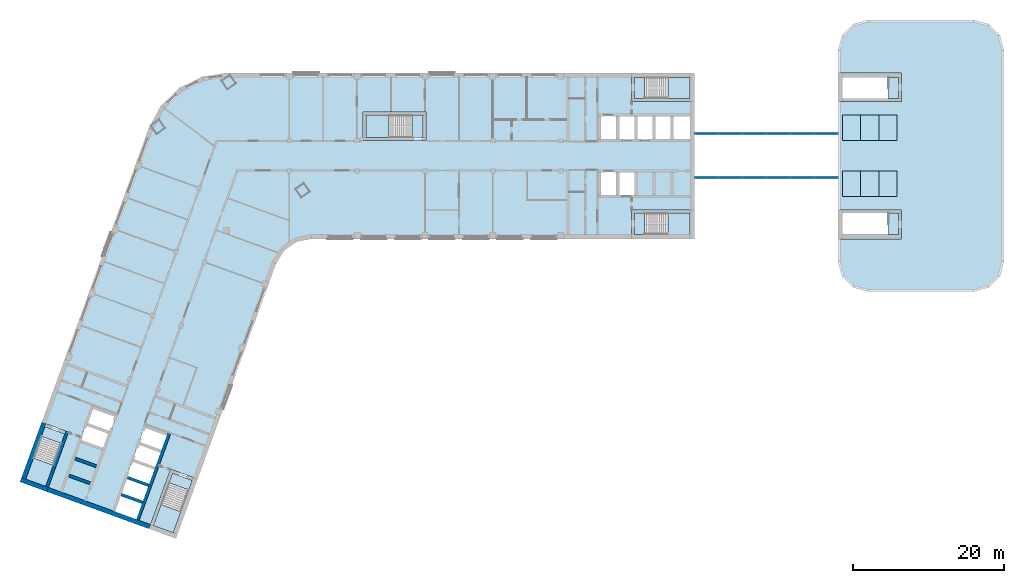
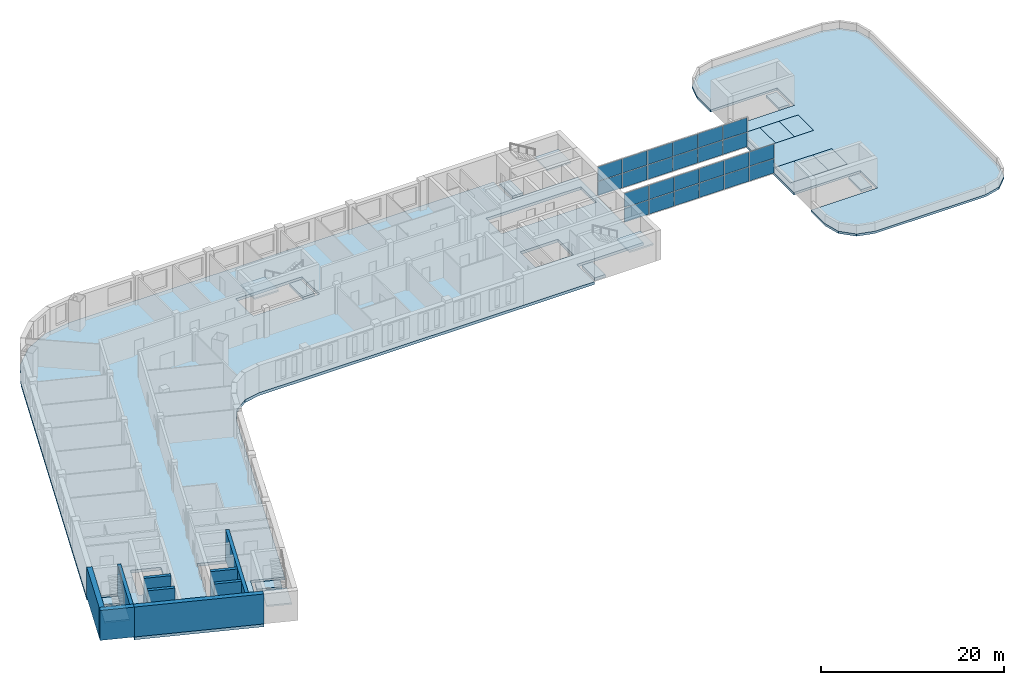
# One storey, part 3 of 11: 24 plates, 20 slabs, 9 walls, 7 elements without a shape of their own.
"""IFC4 building model written with IfcOpenShell, lengths in metres."""

import ifcopenshell
import ifcopenshell.guid

model = None  # the IFC model being written
_history = None  # IfcOwnerHistory: only IFC2X3 demands one
_inside = {}  # id of a spatial element -> (the spatial element, [elements in it])
_under = {}  # id of a project, library or spatial element -> (it, [spatial elements below it])
_declared = {}  # id of a project -> (the project, [libraries it declares])
_typed = {}  # id of a type object -> (the type object, [elements of that type])
_made_of = {}  # id of a material, layer set ... -> (it, [elements and type objects made of it])


def new_model(schema):
    """Start an empty IFC model of exactly this schema.

    Asked for "IFC4X3", IfcOpenShell would pick the latest addendum, in which some entities
    have other attributes; the version numbers below select the first issue.
    IFC2X3 requires an IfcOwnerHistory on every rooted entity: one is made here for all.
    """
    global model, _history
    if schema == "IFC4X3":
        model = ifcopenshell.file(schema_version=(4, 3, 0, 0))
    else:
        model = ifcopenshell.file(schema=schema)
    _inside.clear()
    _under.clear()
    _declared.clear()
    _typed.clear()
    _made_of.clear()
    _history = None
    if model.schema == "IFC2X3":
        org = make("IfcOrganization", Name="unknown")
        user = make(
            "IfcPersonAndOrganization",
            ThePerson=make("IfcPerson", FamilyName="unknown"),
            TheOrganization=org,
        )
        app = make(
            "IfcApplication",
            ApplicationDeveloper=org,
            Version="unknown",
            ApplicationFullName="unknown",
            ApplicationIdentifier="unknown",
        )
        _history = make(
            "IfcOwnerHistory",
            OwningUser=user,
            OwningApplication=app,
            ChangeAction="ADDED",
            CreationDate=0,
        )
    return model


def make(cls, **values):
    """One entity of the class cls with the attributes given. An attribute that is None is left unset."""
    return model.create_entity(
        cls, **{name: value for name, value in values.items() if value is not None}
    )


def rooted(cls, **values):
    """An entity with a GlobalId (a new one), such as an element, a storey or a relation."""
    return make(cls, GlobalId=ifcopenshell.guid.new(), OwnerHistory=_history, **values)


def si_unit(unit_type, name, prefix=None):
    """IfcSIUnit, for example si_unit("LENGTHUNIT", "METRE", prefix="MILLI")."""
    return make("IfcSIUnit", UnitType=unit_type, Prefix=prefix, Name=name)


def assignment(units):
    """IfcUnitAssignment: the units of a project."""
    return None if units is None else make("IfcUnitAssignment", Units=units)


def point(xyz):
    """IfcCartesianPoint."""
    return None if xyz is None else make("IfcCartesianPoint", Coordinates=xyz)


def direction(xyz):
    """IfcDirection."""
    return None if xyz is None else make("IfcDirection", DirectionRatios=xyz)


def frame(location, z_axis=None, x_axis=None):
    """IfcAxis2Placement3D, a coordinate frame: its origin and axes. An axis left out is left unset."""
    return make(
        "IfcAxis2Placement3D",
        Location=point(location),
        Axis=direction(z_axis),
        RefDirection=direction(x_axis),
    )


def frame_2d(location, x_axis=None):
    """IfcAxis2Placement2D, a coordinate frame in the plane: its origin and x axis."""
    return make(
        "IfcAxis2Placement2D", Location=point(location), RefDirection=direction(x_axis)
    )


def origin():
    """The frame at (0, 0, 0) with its axes left unset."""
    return frame((0.0, 0.0, 0.0))


def origin_2d():
    """The frame at (0, 0) in the plane with its x axis left unset."""
    return frame_2d((0.0, 0.0))


def place(relative_to, where):
    """IfcLocalPlacement: puts the frame where relative to a parent placement (None: the world)."""
    return make(
        "IfcLocalPlacement", PlacementRelTo=relative_to, RelativePlacement=where
    )


def context(
    kind, dimensions, precision=None, world=None, true_north=None, identifier=None
):
    """IfcGeometricRepresentationContext, for example the 3D "Model" context."""
    return make(
        "IfcGeometricRepresentationContext",
        ContextIdentifier=identifier,
        ContextType=kind,
        CoordinateSpaceDimension=dimensions,
        Precision=precision,
        WorldCoordinateSystem=world,
        TrueNorth=true_north,
    )


def subcontext(parent, identifier, kind, view, scale=None):
    """IfcGeometricRepresentationSubContext, for example "Body" below "Model"."""
    return make(
        "IfcGeometricRepresentationSubContext",
        ContextIdentifier=identifier,
        ContextType=kind,
        ParentContext=parent,
        TargetScale=scale,
        TargetView=view,
    )


def project(units=None, contexts=None):
    """IfcProject with its units and contexts."""
    return rooted(
        "IfcProject",
        Name="project",
        RepresentationContexts=contexts,
        UnitsInContext=assignment(units),
    )


def spatial(cls, under=None, at=None, **own):
    """A site, building, storey or space (cls), placed at a placement, below another one or the project."""
    s = rooted(cls, ObjectPlacement=at, **own)
    if under is not None:
        _under.setdefault(under.id(), (under, []))[1].append(s)
    return s


def polyline(points):
    """IfcPolyline through the points."""
    return make("IfcPolyline", Points=[point(p) for p in points])


def profile(cls, at=None, kind="AREA", **sizes):
    """A parametric profile (cls). Its sizes go by their IFC names, for example OverallWidth=200.0."""
    return make(cls, ProfileType=kind, Position=at, **sizes)


def rectangle(**sizes):
    """IfcRectangleProfileDef."""
    return profile("IfcRectangleProfileDef", **sizes)


def outline(outer, holes=None, kind="AREA"):
    """IfcArbitraryClosedProfileDef: a profile drawn as a closed curve; with holes, ...WithVoids."""
    if holes is None:
        return make("IfcArbitraryClosedProfileDef", ProfileType=kind, OuterCurve=outer)
    return make(
        "IfcArbitraryProfileDefWithVoids",
        ProfileType=kind,
        OuterCurve=outer,
        InnerCurves=holes,
    )


def extrude(swept, where, along, depth):
    """IfcExtrudedAreaSolid: the profile swept, set in the frame where, extruded along a direction by depth."""
    return make(
        "IfcExtrudedAreaSolid",
        SweptArea=swept,
        Position=where,
        ExtrudedDirection=direction(along),
        Depth=depth,
    )


def shape(context_of_items, identifier, shape_type, items):
    """IfcShapeRepresentation: the items that make up one representation, for example the "Body"."""
    return make(
        "IfcShapeRepresentation",
        ContextOfItems=context_of_items,
        RepresentationIdentifier=identifier,
        RepresentationType=shape_type,
        Items=items,
    )


def material(Name=None, Category=None):
    """IfcMaterial."""
    return make("IfcMaterial", Name=Name, Category=Category)


def layer(
    of_material, thickness, ventilated=None, Name=None, Category=None, Priority=None
):
    """IfcMaterialLayer: one layer of a wall or slab, of a material (None: an air gap)."""
    return make(
        "IfcMaterialLayer",
        Material=of_material,
        LayerThickness=thickness,
        IsVentilated=ventilated,
        Name=Name,
        Category=Category,
        Priority=Priority,
    )


def layer_set(layers, Name=None):
    """IfcMaterialLayerSet."""
    return make("IfcMaterialLayerSet", MaterialLayers=layers, LayerSetName=Name)


def made_of(thing, what):
    """Note that an element or type object is made of a material, layer set ...; save() writes the relation."""
    if what is not None:
        _made_of.setdefault(what.id(), (what, []))[1].append(thing)
    return thing


def type_object(cls, material=None, **own):
    """A type object (cls), such as IfcWallType, which elements share."""
    return made_of(rooted(cls, **own), material)


def element(
    cls,
    number,
    at=None,
    inside=None,
    cuts=None,
    type_object=None,
    material=None,
    context=None,
    identifier="Body",
    shape_type=None,
    held_by="IfcProductDefinitionShape",
    body=None,
    shapes=None,
    **own,
):
    """One element of the class cls, such as IfcWall. Its Tag is "e" and its number.

    at: its placement. inside: the storey or other place that contains it. cuts: it is an
    opening in that element (IfcRelVoidsElement). A single representation is given by context,
    identifier, shape_type and body (its items); several are given by shapes. held_by: the class
    of the entity that holds the representations. save() writes the other relations.
    """
    e = rooted(cls, Tag="e%d" % number, ObjectPlacement=at, **own)
    if body is not None:
        shapes = [shape(context, identifier, shape_type, body)]
    if shapes is not None:
        e.Representation = make(held_by, Representations=shapes)
    if inside is not None:
        _inside.setdefault(inside.id(), (inside, []))[1].append(e)
    if cuts is not None:
        rooted(
            "IfcRelVoidsElement", RelatingBuildingElement=cuts, RelatedOpeningElement=e
        )
    if type_object is not None:
        _typed.setdefault(type_object.id(), (type_object, []))[1].append(e)
    return made_of(e, material)


def aggregate(whole, parts):
    """IfcRelAggregates: a whole, such as a stair, and the parts it consists of."""
    return rooted("IfcRelAggregates", RelatingObject=whole, RelatedObjects=parts)


def save(model, path):
    """Write the relations noted so far, then the file.

    IfcRelAggregates (storeys below a building ...), IfcRelContainedInSpatialStructure (elements
    in a storey), IfcRelDefinesByType, IfcRelAssociatesMaterial and IfcRelDeclares: one each for
    every whole, place, type object, material and project.
    """
    for whole, parts in _under.values():
        aggregate(whole, parts)
    for where, things in _inside.values():
        rooted(
            "IfcRelContainedInSpatialStructure",
            RelatedElements=things,
            RelatingStructure=where,
        )
    for kind, things in _typed.values():
        rooted("IfcRelDefinesByType", RelatedObjects=things, RelatingType=kind)
    for what, things in _made_of.values():
        rooted("IfcRelAssociatesMaterial", RelatedObjects=things, RelatingMaterial=what)
    for by, libraries in _declared.values():
        rooted("IfcRelDeclares", RelatingContext=by, RelatedDefinitions=libraries)
    model.write(path)


model = new_model("IFC4")

# Units and contexts
model_context = context("Model", 3, precision=1e-05, world=origin(), true_north=direction((0.0, 1.0)))
body_context = subcontext(model_context, "Body", "Model", "MODEL_VIEW")
ifc_project = project(units=[si_unit("LENGTHUNIT", "METRE"), si_unit("AREAUNIT", "SQUARE_METRE"), si_unit("VOLUMEUNIT", "CUBIC_METRE"), si_unit("PLANEANGLEUNIT", "RADIAN"), si_unit("MASSUNIT", "GRAM", prefix="KILO")], contexts=[model_context])

# Site, building, storey
site_placement = place(None, origin())
site = spatial("IfcSite", under=ifc_project, at=site_placement, CompositionType="ELEMENT")
building_placement = place(site_placement, origin())
building = spatial("IfcBuilding", under=site, at=building_placement, Name="Skarvind Civic Tower", CompositionType="ELEMENT")
storey_placement = place(building_placement, frame((0.0, 0.0, 113.0)))
storey = spatial("IfcBuildingStorey", under=building, at=storey_placement, Name="L26", CompositionType="ELEMENT", Elevation=113.0)

# Curtain wall, plates
ifc_material_1 = material(Name="Aluminium alloy 6063 and laminated glass", Category="aluminium")
curtain_wall_type = type_object("IfcCurtainWallType", Name="CW4 BRIDGE ENCLOSURE GLAZING", PredefinedType="NOTDEFINED", material=ifc_material_1)
curtain_wall_1_placement = place(storey_placement, origin())
curtain_wall_1 = element("IfcCurtainWall", 1, at=curtain_wall_1_placement, inside=storey, type_object=curtain_wall_type, Name="BRIDGE ENCLOSURE GLAZING", PredefinedType="NOTDEFINED")
ifc_material_2 = material(Name="Laminated low-iron glass", Category="glass")
ifc_layer_1 = layer(ifc_material_2, 0.028076171875)
ifc_layer_set_1 = layer_set([ifc_layer_1], Name="CW4 GLASS PANEL 28")
plate_type = type_object("IfcPlateType", Name="CW4 GLASS PANEL 28", PredefinedType="CURTAIN_PANEL", material=ifc_layer_set_1)
plate_1_placement = place(storey_placement, frame((125.401611328125, 125.090087890625, 0.06005859375), z_axis=(0.0, 0.0, 1.0), x_axis=(-1.0, 0.0, 0.0)))
plate_1 = element("IfcPlate", 2, at=plate_1_placement, type_object=plate_type, Name="CW4 panel 1.1", PredefinedType="CURTAIN_PANEL", context=body_context, shape_type="SweptSolid", body=[
    extrude(rectangle(XDim=3.07666015625, YDim=0.028076171875, at=origin_2d()), origin(), (0.0, 0.0, 1.0), 1.909912109375),
])
plate_2_placement = place(storey_placement, frame((125.401611328125, 125.090087890625, 2.0302734375), z_axis=(0.0, 0.0, 1.0), x_axis=(-1.0, 0.0, 0.0)))
plate_2 = element("IfcPlate", 3, at=plate_2_placement, type_object=plate_type, Name="CW4 panel 1.2", PredefinedType="CURTAIN_PANEL", context=body_context, shape_type="SweptSolid", body=[
    extrude(rectangle(XDim=3.07666015625, YDim=0.028076171875, at=origin_2d()), origin(), (0.0, 0.0, 1.0), 1.909912109375),
])
plate_3_placement = place(storey_placement, frame((122.25, 125.090087890625, 0.06005859375), z_axis=(0.0, 0.0, 1.0), x_axis=(-1.0, 0.0, 0.0)))
plate_3 = element("IfcPlate", 4, at=plate_3_placement, type_object=plate_type, Name="CW4 panel 2.1", PredefinedType="CURTAIN_PANEL", context=body_context, shape_type="SweptSolid", body=[
    extrude(rectangle(XDim=3.106689453125, YDim=0.028076171875, at=origin_2d()), origin(), (0.0, 0.0, 1.0), 1.909912109375),
])
plate_4_placement = place(storey_placement, frame((122.25, 125.090087890625, 2.0302734375), z_axis=(0.0, 0.0, 1.0), x_axis=(-1.0, 0.0, 0.0)))
plate_4 = element("IfcPlate", 5, at=plate_4_placement, type_object=plate_type, Name="CW4 panel 2.2", PredefinedType="CURTAIN_PANEL", context=body_context, shape_type="SweptSolid", body=[
    extrude(rectangle(XDim=3.106689453125, YDim=0.028076171875, at=origin_2d()), origin(), (0.0, 0.0, 1.0), 1.909912109375),
])
plate_5_placement = place(storey_placement, frame((119.083251953125, 125.090087890625, 0.06005859375), z_axis=(0.0, 0.0, 1.0), x_axis=(-1.0, 0.0, 0.0)))
plate_5 = element("IfcPlate", 6, at=plate_5_placement, type_object=plate_type, Name="CW4 panel 3.1", PredefinedType="CURTAIN_PANEL", context=body_context, shape_type="SweptSolid", body=[
    extrude(rectangle(XDim=3.106689453125, YDim=0.028076171875, at=origin_2d()), origin(), (0.0, 0.0, 1.0), 1.909912109375),
])
plate_6_placement = place(storey_placement, frame((119.083251953125, 125.090087890625, 2.0302734375), z_axis=(0.0, 0.0, 1.0), x_axis=(-1.0, 0.0, 0.0)))
plate_6 = element("IfcPlate", 7, at=plate_6_placement, type_object=plate_type, Name="CW4 panel 3.2", PredefinedType="CURTAIN_PANEL", context=body_context, shape_type="SweptSolid", body=[
    extrude(rectangle(XDim=3.106689453125, YDim=0.028076171875, at=origin_2d()), origin(), (0.0, 0.0, 1.0), 1.909912109375),
])
plate_7_placement = place(storey_placement, frame((115.916748046875, 125.090087890625, 0.06005859375), z_axis=(0.0, 0.0, 1.0), x_axis=(-1.0, 0.0, 0.0)))
plate_7 = element("IfcPlate", 8, at=plate_7_placement, type_object=plate_type, Name="CW4 panel 4.1", PredefinedType="CURTAIN_PANEL", context=body_context, shape_type="SweptSolid", body=[
    extrude(rectangle(XDim=3.106689453125, YDim=0.028076171875, at=origin_2d()), origin(), (0.0, 0.0, 1.0), 1.909912109375),
])
plate_8_placement = place(storey_placement, frame((115.916748046875, 125.090087890625, 2.0302734375), z_axis=(0.0, 0.0, 1.0), x_axis=(-1.0, 0.0, 0.0)))
plate_8 = element("IfcPlate", 9, at=plate_8_placement, type_object=plate_type, Name="CW4 panel 4.2", PredefinedType="CURTAIN_PANEL", context=body_context, shape_type="SweptSolid", body=[
    extrude(rectangle(XDim=3.106689453125, YDim=0.028076171875, at=origin_2d()), origin(), (0.0, 0.0, 1.0), 1.909912109375),
])
plate_9_placement = place(storey_placement, frame((112.75, 125.090087890625, 0.06005859375), z_axis=(0.0, 0.0, 1.0), x_axis=(-1.0, 0.0, 0.0)))
plate_9 = element("IfcPlate", 10, at=plate_9_placement, type_object=plate_type, Name="CW4 panel 5.1", PredefinedType="CURTAIN_PANEL", context=body_context, shape_type="SweptSolid", body=[
    extrude(rectangle(XDim=3.106689453125, YDim=0.028076171875, at=origin_2d()), origin(), (0.0, 0.0, 1.0), 1.909912109375),
])
plate_10_placement = place(storey_placement, frame((112.75, 125.090087890625, 2.0302734375), z_axis=(0.0, 0.0, 1.0), x_axis=(-1.0, 0.0, 0.0)))
plate_10 = element("IfcPlate", 11, at=plate_10_placement, type_object=plate_type, Name="CW4 panel 5.2", PredefinedType="CURTAIN_PANEL", context=body_context, shape_type="SweptSolid", body=[
    extrude(rectangle(XDim=3.106689453125, YDim=0.028076171875, at=origin_2d()), origin(), (0.0, 0.0, 1.0), 1.909912109375),
])
plate_11_placement = place(storey_placement, frame((109.598388671875, 125.090087890625, 0.06005859375), z_axis=(0.0, 0.0, 1.0), x_axis=(-1.0, 0.0, 0.0)))
plate_11 = element("IfcPlate", 12, at=plate_11_placement, type_object=plate_type, Name="CW4 panel 6.1", PredefinedType="CURTAIN_PANEL", context=body_context, shape_type="SweptSolid", body=[
    extrude(rectangle(XDim=3.07666015625, YDim=0.028076171875, at=origin_2d()), origin(), (0.0, 0.0, 1.0), 1.909912109375),
])
plate_12_placement = place(storey_placement, frame((109.598388671875, 125.090087890625, 2.0302734375), z_axis=(0.0, 0.0, 1.0), x_axis=(-1.0, 0.0, 0.0)))
plate_12 = element("IfcPlate", 13, at=plate_12_placement, type_object=plate_type, Name="CW4 panel 6.2", PredefinedType="CURTAIN_PANEL", context=body_context, shape_type="SweptSolid", body=[
    extrude(rectangle(XDim=3.07666015625, YDim=0.028076171875, at=origin_2d()), origin(), (0.0, 0.0, 1.0), 1.909912109375),
])
aggregate(curtain_wall_1, [plate_1, plate_2, plate_3, plate_4, plate_5, plate_6, plate_7, plate_8, plate_9, plate_10, plate_11, plate_12])

curtain_wall_2_placement = place(storey_placement, origin())
curtain_wall_2 = element("IfcCurtainWall", 14, at=curtain_wall_2_placement, inside=storey, type_object=curtain_wall_type, Name="BRIDGE ENCLOSURE GLAZING", PredefinedType="NOTDEFINED")
plate_13_placement = place(storey_placement, frame((109.598388671875, 130.909912109375, 0.06005859375), z_axis=(0.0, 0.0, 1.0), x_axis=(1.0, 0.0, 0.0)))
plate_13 = element("IfcPlate", 15, at=plate_13_placement, type_object=plate_type, Name="CW4 panel 1.1", PredefinedType="CURTAIN_PANEL", context=body_context, shape_type="SweptSolid", body=[
    extrude(rectangle(XDim=3.07666015625, YDim=0.028076171875, at=origin_2d()), origin(), (0.0, 0.0, 1.0), 1.909912109375),
])
plate_14_placement = place(storey_placement, frame((109.598388671875, 130.909912109375, 2.0302734375), z_axis=(0.0, 0.0, 1.0), x_axis=(1.0, 0.0, 0.0)))
plate_14 = element("IfcPlate", 16, at=plate_14_placement, type_object=plate_type, Name="CW4 panel 1.2", PredefinedType="CURTAIN_PANEL", context=body_context, shape_type="SweptSolid", body=[
    extrude(rectangle(XDim=3.07666015625, YDim=0.028076171875, at=origin_2d()), origin(), (0.0, 0.0, 1.0), 1.909912109375),
])
plate_15_placement = place(storey_placement, frame((112.75, 130.909912109375, 0.06005859375), z_axis=(0.0, 0.0, 1.0), x_axis=(1.0, 0.0, 0.0)))
plate_15 = element("IfcPlate", 17, at=plate_15_placement, type_object=plate_type, Name="CW4 panel 2.1", PredefinedType="CURTAIN_PANEL", context=body_context, shape_type="SweptSolid", body=[
    extrude(rectangle(XDim=3.106689453125, YDim=0.028076171875, at=origin_2d()), origin(), (0.0, 0.0, 1.0), 1.909912109375),
])
plate_16_placement = place(storey_placement, frame((112.75, 130.909912109375, 2.0302734375), z_axis=(0.0, 0.0, 1.0), x_axis=(1.0, 0.0, 0.0)))
plate_16 = element("IfcPlate", 18, at=plate_16_placement, type_object=plate_type, Name="CW4 panel 2.2", PredefinedType="CURTAIN_PANEL", context=body_context, shape_type="SweptSolid", body=[
    extrude(rectangle(XDim=3.106689453125, YDim=0.028076171875, at=origin_2d()), origin(), (0.0, 0.0, 1.0), 1.909912109375),
])
plate_17_placement = place(storey_placement, frame((115.916748046875, 130.909912109375, 0.06005859375), z_axis=(0.0, 0.0, 1.0), x_axis=(1.0, 0.0, 0.0)))
plate_17 = element("IfcPlate", 19, at=plate_17_placement, type_object=plate_type, Name="CW4 panel 3.1", PredefinedType="CURTAIN_PANEL", context=body_context, shape_type="SweptSolid", body=[
    extrude(rectangle(XDim=3.106689453125, YDim=0.028076171875, at=origin_2d()), origin(), (0.0, 0.0, 1.0), 1.909912109375),
])
plate_18_placement = place(storey_placement, frame((115.916748046875, 130.909912109375, 2.0302734375), z_axis=(0.0, 0.0, 1.0), x_axis=(1.0, 0.0, 0.0)))
plate_18 = element("IfcPlate", 20, at=plate_18_placement, type_object=plate_type, Name="CW4 panel 3.2", PredefinedType="CURTAIN_PANEL", context=body_context, shape_type="SweptSolid", body=[
    extrude(rectangle(XDim=3.106689453125, YDim=0.028076171875, at=origin_2d()), origin(), (0.0, 0.0, 1.0), 1.909912109375),
])
plate_19_placement = place(storey_placement, frame((119.083251953125, 130.909912109375, 0.06005859375), z_axis=(0.0, 0.0, 1.0), x_axis=(1.0, 0.0, 0.0)))
plate_19 = element("IfcPlate", 21, at=plate_19_placement, type_object=plate_type, Name="CW4 panel 4.1", PredefinedType="CURTAIN_PANEL", context=body_context, shape_type="SweptSolid", body=[
    extrude(rectangle(XDim=3.106689453125, YDim=0.028076171875, at=origin_2d()), origin(), (0.0, 0.0, 1.0), 1.909912109375),
])
plate_20_placement = place(storey_placement, frame((119.083251953125, 130.909912109375, 2.0302734375), z_axis=(0.0, 0.0, 1.0), x_axis=(1.0, 0.0, 0.0)))
plate_20 = element("IfcPlate", 22, at=plate_20_placement, type_object=plate_type, Name="CW4 panel 4.2", PredefinedType="CURTAIN_PANEL", context=body_context, shape_type="SweptSolid", body=[
    extrude(rectangle(XDim=3.106689453125, YDim=0.028076171875, at=origin_2d()), origin(), (0.0, 0.0, 1.0), 1.909912109375),
])
plate_21_placement = place(storey_placement, frame((122.25, 130.909912109375, 0.06005859375), z_axis=(0.0, 0.0, 1.0), x_axis=(1.0, 0.0, 0.0)))
plate_21 = element("IfcPlate", 23, at=plate_21_placement, type_object=plate_type, Name="CW4 panel 5.1", PredefinedType="CURTAIN_PANEL", context=body_context, shape_type="SweptSolid", body=[
    extrude(rectangle(XDim=3.106689453125, YDim=0.028076171875, at=origin_2d()), origin(), (0.0, 0.0, 1.0), 1.909912109375),
])
plate_22_placement = place(storey_placement, frame((122.25, 130.909912109375, 2.0302734375), z_axis=(0.0, 0.0, 1.0), x_axis=(1.0, 0.0, 0.0)))
plate_22 = element("IfcPlate", 24, at=plate_22_placement, type_object=plate_type, Name="CW4 panel 5.2", PredefinedType="CURTAIN_PANEL", context=body_context, shape_type="SweptSolid", body=[
    extrude(rectangle(XDim=3.106689453125, YDim=0.028076171875, at=origin_2d()), origin(), (0.0, 0.0, 1.0), 1.909912109375),
])
plate_23_placement = place(storey_placement, frame((125.401611328125, 130.909912109375, 0.06005859375), z_axis=(0.0, 0.0, 1.0), x_axis=(1.0, 0.0, 0.0)))
plate_23 = element("IfcPlate", 25, at=plate_23_placement, type_object=plate_type, Name="CW4 panel 6.1", PredefinedType="CURTAIN_PANEL", context=body_context, shape_type="SweptSolid", body=[
    extrude(rectangle(XDim=3.07666015625, YDim=0.028076171875, at=origin_2d()), origin(), (0.0, 0.0, 1.0), 1.909912109375),
])
plate_24_placement = place(storey_placement, frame((125.401611328125, 130.909912109375, 2.0302734375), z_axis=(0.0, 0.0, 1.0), x_axis=(1.0, 0.0, 0.0)))
plate_24 = element("IfcPlate", 26, at=plate_24_placement, type_object=plate_type, Name="CW4 panel 6.2", PredefinedType="CURTAIN_PANEL", context=body_context, shape_type="SweptSolid", body=[
    extrude(rectangle(XDim=3.07666015625, YDim=0.028076171875, at=origin_2d()), origin(), (0.0, 0.0, 1.0), 1.909912109375),
])
aggregate(curtain_wall_2, [plate_13, plate_14, plate_15, plate_16, plate_17, plate_18, plate_19, plate_20, plate_21, plate_22, plate_23, plate_24])

# Slabs
ifc_material_3 = material(Name="Concrete C50", Category="concrete")
ifc_layer_2 = layer(ifc_material_3, 0.375)
ifc_layer_set_2 = layer_set([ifc_layer_2], Name="Floor slab 375 C50")
slab_type_1 = type_object("IfcSlabType", Name="Floor slab 375 C50", PredefinedType="FLOOR", material=ifc_layer_set_2)
slab_1_placement = place(storey_placement, frame((0.0, 0.0, -0.375)))
element("IfcSlab", 27, at=slab_1_placement, inside=storey, type_object=slab_type_1, Name="Floor slab L26 1", PredefinedType="FLOOR", context=body_context, shape_type="SweptSolid", body=[
    extrude(outline(polyline([(99.60009765625, 117.0), (99.60009765625, 120.800048828125), (108.0, 120.800048828125), (108.0, 135.199951171875), (99.60009765625, 135.199951171875), (99.60009765625, 139.0), (46.095458984375, 139.0), (42.739501953125, 138.5009765625), (39.6943359375, 137.005615234375), (37.24755859375, 134.6552734375), (35.630615234375, 131.672607421875), (19.41748046875, 87.126708984375), (21.435302734375, 92.6708984375), (25.006103515625, 91.371337890625), (22.13330078125, 83.477783203125), (36.886474609375, 78.108154296875), (35.664794921875, 78.552734375), (38.53759765625, 86.4462890625), (42.108642578125, 85.146484375), (40.0908203125, 79.602294921875), (40.0908203125, 79.602294921875), (52.493896484375, 113.68017578125), (53.560791015625, 115.421630859375), (55.23388671875, 116.593017578125), (57.235107421875, 117.0), (99.60009765625, 117.0)]), holes=[polyline([(32.625244140625, 85.40576171875), (33.446044921875, 87.660888671875), (34.26708984375, 89.916259765625), (35.087890625, 92.17138671875), (38.28271484375, 91.008544921875), (37.4619140625, 88.75341796875), (36.64111328125, 86.498046875), (35.8203125, 84.242919921875), (35.8203125, 84.242919921875), (34.99951171875, 81.987548828125), (34.178466796875, 79.732421875), (30.983642578125, 80.89501953125), (31.804443359375, 83.150390625), (32.625244140625, 85.40576171875), (32.625244140625, 85.40576171875)]), polyline([(31.3291015625, 93.53955078125), (30.50830078125, 91.2841796875), (29.6875, 89.029052734375), (26.492431640625, 90.19189453125), (27.313232421875, 92.447021484375), (28.134033203125, 94.702392578125), (31.3291015625, 93.53955078125)]), polyline([(64.0, 130.0), (64.0, 133.800048828125), (72.39990234375, 133.800048828125), (72.39990234375, 130.0), (64.0, 130.0)]), polyline([(100.199951171875, 126.0), (100.199951171875, 122.60009765625), (97.800048828125, 122.60009765625), (95.39990234375, 122.60009765625), (95.39990234375, 126.0), (97.800048828125, 126.0), (100.199951171875, 126.0)]), polyline([(100.199951171875, 133.39990234375), (102.60009765625, 133.39990234375), (105.0, 133.39990234375), (107.39990234375, 133.39990234375), (107.39990234375, 130.0), (105.0, 130.0), (102.60009765625, 130.0), (100.199951171875, 130.0), (97.800048828125, 130.0), (95.39990234375, 130.0), (95.39990234375, 133.39990234375), (97.800048828125, 133.39990234375), (100.199951171875, 133.39990234375)])]), origin(), (0.0, 0.0, 1.0), 0.375),
])
ifc_material_4 = material(Name="Concrete C40/50", Category="concrete")
ifc_layer_3 = layer(ifc_material_4, 0.300048828125)
ifc_layer_set_3 = layer_set([ifc_layer_3], Name="Lift overrun roof slab")
slab_type_2 = type_object("IfcSlabType", Name="Lift overrun roof slab", PredefinedType="ROOF", material=ifc_layer_set_3)
slab_2_placement = place(storey_placement, frame((0.0, 0.0, -0.300048828125)))
element("IfcSlab", 28, at=slab_2_placement, inside=storey, type_object=slab_type_2, Name="Lift overrun roof slab", PredefinedType="ROOF", context=body_context, shape_type="SweptSolid", body=[
    extrude(outline(polyline([(127.60009765625, 122.60009765625), (130.0, 122.60009765625), (130.0, 126.0), (127.60009765625, 126.0), (127.60009765625, 122.60009765625)])), origin(), (0.0, 0.0, 1.0), 0.300048828125),
])
slab_3_placement = place(storey_placement, frame((0.0, 0.0, -0.300048828125)))
element("IfcSlab", 29, at=slab_3_placement, inside=storey, type_object=slab_type_2, Name="Lift overrun roof slab", PredefinedType="ROOF", context=body_context, shape_type="SweptSolid", body=[
    extrude(outline(polyline([(130.0, 122.60009765625), (132.39990234375, 122.60009765625), (132.39990234375, 126.0), (130.0, 126.0), (130.0, 122.60009765625)])), origin(), (0.0, 0.0, 1.0), 0.300048828125),
])
slab_4_placement = place(storey_placement, frame((0.0, 0.0, -0.300048828125)))
element("IfcSlab", 30, at=slab_4_placement, inside=storey, type_object=slab_type_2, Name="Lift overrun roof slab", PredefinedType="ROOF", context=body_context, shape_type="SweptSolid", body=[
    extrude(outline(polyline([(132.39990234375, 122.60009765625), (134.800048828125, 122.60009765625), (134.800048828125, 126.0), (132.39990234375, 126.0), (132.39990234375, 122.60009765625)])), origin(), (0.0, 0.0, 1.0), 0.300048828125),
])
slab_5_placement = place(storey_placement, frame((0.0, 0.0, -0.300048828125)))
element("IfcSlab", 31, at=slab_5_placement, inside=storey, type_object=slab_type_2, Name="Lift overrun roof slab", PredefinedType="ROOF", context=body_context, shape_type="SweptSolid", body=[
    extrude(outline(polyline([(127.60009765625, 130.0), (130.0, 130.0), (130.0, 133.39990234375), (127.60009765625, 133.39990234375), (127.60009765625, 130.0)])), origin(), (0.0, 0.0, 1.0), 0.300048828125),
])
slab_6_placement = place(storey_placement, frame((0.0, 0.0, -0.300048828125)))
element("IfcSlab", 32, at=slab_6_placement, inside=storey, type_object=slab_type_2, Name="Lift overrun roof slab", PredefinedType="ROOF", context=body_context, shape_type="SweptSolid", body=[
    extrude(outline(polyline([(130.0, 130.0), (132.39990234375, 130.0), (132.39990234375, 133.39990234375), (130.0, 133.39990234375), (130.0, 130.0)])), origin(), (0.0, 0.0, 1.0), 0.300048828125),
])
slab_7_placement = place(storey_placement, frame((0.0, 0.0, -0.300048828125)))
element("IfcSlab", 33, at=slab_7_placement, inside=storey, type_object=slab_type_2, Name="Lift overrun roof slab", PredefinedType="ROOF", context=body_context, shape_type="SweptSolid", body=[
    extrude(outline(polyline([(132.39990234375, 130.0), (134.800048828125, 130.0), (134.800048828125, 133.39990234375), (132.39990234375, 133.39990234375), (132.39990234375, 130.0)])), origin(), (0.0, 0.0, 1.0), 0.300048828125),
])
ifc_layer_4 = layer(ifc_material_3, 0.300048828125)
ifc_layer_set_4 = layer_set([ifc_layer_4], Name="Roof slab 300 C50")
slab_type_3 = type_object("IfcSlabType", Name="Roof slab 300 C50", PredefinedType="ROOF", material=ifc_layer_set_4)
slab_8_placement = place(storey_placement, frame((0.0, 0.0, -0.300048828125)))
element("IfcSlab", 34, at=slab_8_placement, inside=storey, type_object=slab_type_3, Name="Roof slab L26 1", PredefinedType="ROOF", context=body_context, shape_type="SweptSolid", body=[
    extrude(outline(polyline([(127.0, 139.0), (135.39990234375, 139.0), (135.39990234375, 135.199951171875), (127.0, 135.199951171875), (127.0, 120.800048828125), (135.39990234375, 120.800048828125), (135.39990234375, 117.0), (127.0, 117.0), (127.0, 114.0), (127.535888671875, 112.0), (129.0, 110.535888671875), (131.0, 110.0), (145.0, 110.0), (147.0, 110.535888671875), (148.464111328125, 112.0), (149.0, 114.0), (149.0, 142.0), (148.464111328125, 144.0), (147.0, 145.464111328125), (145.0, 146.0), (131.0, 146.0), (129.0, 145.464111328125), (127.535888671875, 144.0), (127.0, 142.0), (127.0, 139.0)]), holes=[polyline([(134.800048828125, 122.60009765625), (132.39990234375, 122.60009765625), (130.0, 122.60009765625), (127.60009765625, 122.60009765625), (127.60009765625, 126.0), (130.0, 126.0), (132.39990234375, 126.0), (134.800048828125, 126.0), (134.800048828125, 122.60009765625)]), polyline([(130.0, 133.39990234375), (132.39990234375, 133.39990234375), (134.800048828125, 133.39990234375), (134.800048828125, 130.0), (132.39990234375, 130.0), (130.0, 130.0), (127.60009765625, 130.0), (127.60009765625, 133.39990234375), (130.0, 133.39990234375)])]), origin(), (0.0, 0.0, 1.0), 0.300048828125),
])
ifc_layer_5 = layer(ifc_material_4, 0.300048828125)
ifc_layer_set_5 = layer_set([ifc_layer_5], Name="Stair floor landing slab 300")
slab_type_4 = type_object("IfcSlabType", Name="Stair floor landing slab 300", PredefinedType="LANDING", material=ifc_layer_set_5)
slab_9_placement = place(storey_placement, frame((0.0, 0.0, -0.300048828125)))
element("IfcSlab", 35, at=slab_9_placement, inside=storey, type_object=slab_type_4, Name="Stair floor landing", PredefinedType="LANDING", context=body_context, shape_type="SweptSolid", body=[
    extrude(outline(polyline([(133.6494140625, 117.599365234375), (133.6494140625, 120.400634765625), (135.00048828125, 120.400634765625), (135.00048828125, 117.599365234375), (133.6494140625, 117.599365234375)])), origin(), (0.0, 0.0, 1.0), 0.300048828125),
])
slab_10_placement = place(storey_placement, frame((0.0, 0.0, -0.300048828125)))
element("IfcSlab", 36, at=slab_10_placement, inside=storey, type_object=slab_type_4, Name="Stair floor landing", PredefinedType="LANDING", context=body_context, shape_type="SweptSolid", body=[
    extrude(outline(polyline([(133.6494140625, 135.599365234375), (133.6494140625, 138.400634765625), (135.00048828125, 138.400634765625), (135.00048828125, 135.599365234375), (133.6494140625, 135.599365234375)])), origin(), (0.0, 0.0, 1.0), 0.300048828125),
])
ifc_layer_6 = layer(ifc_material_4, 0.375)
ifc_layer_set_6 = layer_set([ifc_layer_6], Name="Stair floor landing slab 375")
slab_type_5 = type_object("IfcSlabType", Name="Stair floor landing slab 375", PredefinedType="LANDING", material=ifc_layer_set_6)
slab_11_placement = place(storey_placement, frame((0.0, 0.0, -0.375)))
element("IfcSlab", 37, at=slab_11_placement, inside=storey, type_object=slab_type_5, Name="Stair floor landing", PredefinedType="LANDING", context=body_context, shape_type="SweptSolid", body=[
    extrude(outline(polyline([(101.3505859375, 138.400634765625), (101.3505859375, 135.599365234375), (99.99951171875, 135.599365234375), (99.99951171875, 138.400634765625), (101.3505859375, 138.400634765625)])), origin(), (0.0, 0.0, 1.0), 0.375),
])
slab_12_placement = place(storey_placement, frame((0.0, 0.0, -0.375)))
element("IfcSlab", 38, at=slab_12_placement, inside=storey, type_object=slab_type_5, Name="Stair floor landing", PredefinedType="LANDING", context=body_context, shape_type="SweptSolid", body=[
    extrude(outline(polyline([(101.3505859375, 120.400634765625), (101.3505859375, 117.599365234375), (99.99951171875, 117.599365234375), (99.99951171875, 120.400634765625), (101.3505859375, 120.400634765625)])), origin(), (0.0, 0.0, 1.0), 0.375),
])
slab_13_placement = place(storey_placement, frame((0.0, 0.0, -0.375)))
element("IfcSlab", 39, at=slab_13_placement, inside=storey, type_object=slab_type_5, Name="Stair floor landing", PredefinedType="LANDING", context=body_context, shape_type="SweptSolid", body=[
    extrude(outline(polyline([(40.946533203125, 83.70654296875), (38.314208984375, 84.66455078125), (38.7763671875, 85.934326171875), (41.40869140625, 84.976318359375), (40.946533203125, 83.70654296875)])), origin(), (0.0, 0.0, 1.0), 0.375),
])
slab_14_placement = place(storey_placement, frame((0.0, 0.0, -0.375)))
element("IfcSlab", 40, at=slab_14_placement, inside=storey, type_object=slab_type_5, Name="Stair floor landing", PredefinedType="LANDING", context=body_context, shape_type="SweptSolid", body=[
    extrude(outline(polyline([(24.0322265625, 89.863037109375), (21.39990234375, 90.821044921875), (21.862060546875, 92.090576171875), (24.494384765625, 91.132568359375), (24.0322265625, 89.863037109375)])), origin(), (0.0, 0.0, 1.0), 0.375),
])
slab_15_placement = place(storey_placement, frame((0.0, 0.0, -0.375)))
element("IfcSlab", 41, at=slab_15_placement, inside=storey, type_object=slab_type_5, Name="Stair floor landing", PredefinedType="LANDING", context=body_context, shape_type="SweptSolid", body=[
    extrude(outline(polyline([(70.54931640625, 130.3994140625), (70.54931640625, 133.400634765625), (72.00048828125, 133.400634765625), (72.00048828125, 130.3994140625), (70.54931640625, 130.3994140625)])), origin(), (0.0, 0.0, 1.0), 0.375),
])

# Stair, slab
stair_type_1 = type_object("IfcStairType", Name="Exit stair, half-turn, concrete", PredefinedType="HALF_TURN_STAIR", material=ifc_material_4)
stair_1_placement = place(storey_placement, origin())
stair_1 = element("IfcStair", 42, at=stair_1_placement, inside=storey, type_object=stair_type_1, Name="Exit stair C1S", PredefinedType="HALF_TURN_STAIR")
ifc_layer_7 = layer(ifc_material_4, 0.199951171875)
ifc_layer_set_7 = layer_set([ifc_layer_7], Name="Stair half landing slab")
slab_type_6 = type_object("IfcSlabType", Name="Stair half landing slab", PredefinedType="LANDING", material=ifc_layer_set_7)
slab_16_placement = place(storey_placement, frame((0.0, 0.0, 1.800048828125)))
slab_16 = element("IfcSlab", 43, at=slab_16_placement, type_object=slab_type_6, Name="ST-C1S landing 1", PredefinedType="LANDING", context=body_context, shape_type="SweptSolid", body=[
    extrude(outline(polyline([(104.429443359375, 135.599365234375), (104.429443359375, 138.400634765625), (107.400634765625, 138.400634765625), (107.400634765625, 135.599365234375), (104.429443359375, 135.599365234375)])), origin(), (0.0, 0.0, 1.0), 0.199951171875),
])
aggregate(stair_1, [slab_16])

stair_2_placement = place(storey_placement, origin())
stair_2 = element("IfcStair", 44, at=stair_2_placement, inside=storey, type_object=stair_type_1, Name="Exit stair C1N", PredefinedType="HALF_TURN_STAIR")
slab_17_placement = place(storey_placement, frame((0.0, 0.0, 1.800048828125)))
slab_17 = element("IfcSlab", 45, at=slab_17_placement, type_object=slab_type_6, Name="ST-C1N landing 1", PredefinedType="LANDING", context=body_context, shape_type="SweptSolid", body=[
    extrude(outline(polyline([(104.429443359375, 117.599365234375), (104.429443359375, 120.400634765625), (107.400634765625, 120.400634765625), (107.400634765625, 117.599365234375), (104.429443359375, 117.599365234375)])), origin(), (0.0, 0.0, 1.0), 0.199951171875),
])
aggregate(stair_2, [slab_17])

stair_3_placement = place(storey_placement, origin())
stair_3 = element("IfcStair", 46, at=stair_3_placement, inside=storey, type_object=stair_type_1, Name="Exit stair C2S", PredefinedType="HALF_TURN_STAIR")
slab_18_placement = place(storey_placement, frame((0.0, 0.0, 1.800048828125)))
slab_18 = element("IfcSlab", 47, at=slab_18_placement, type_object=slab_type_6, Name="ST-C2S landing 1", PredefinedType="LANDING", context=body_context, shape_type="SweptSolid", body=[
    extrude(outline(polyline([(37.26123046875, 81.771484375), (39.8935546875, 80.8134765625), (38.87744140625, 78.021484375), (36.2451171875, 78.9794921875), (37.26123046875, 81.771484375)])), origin(), (0.0, 0.0, 1.0), 0.199951171875),
])
aggregate(stair_3, [slab_18])

stair_4_placement = place(storey_placement, origin())
stair_4 = element("IfcStair", 48, at=stair_4_placement, inside=storey, type_object=stair_type_1, Name="Exit stair C2N", PredefinedType="HALF_TURN_STAIR")
slab_19_placement = place(storey_placement, frame((0.0, 0.0, 1.800048828125)))
slab_19 = element("IfcSlab", 49, at=slab_19_placement, type_object=slab_type_6, Name="ST-C2N landing 1", PredefinedType="LANDING", context=body_context, shape_type="SweptSolid", body=[
    extrude(outline(polyline([(20.346923828125, 87.927734375), (22.97900390625, 86.9697265625), (21.962890625, 84.177734375), (19.33056640625, 85.1357421875), (20.346923828125, 87.927734375)])), origin(), (0.0, 0.0, 1.0), 0.199951171875),
])
aggregate(stair_4, [slab_19])

stair_type_2 = type_object("IfcStairType", Name="Exit stair 1450, half-turn, concrete", PredefinedType="HALF_TURN_STAIR", material=ifc_material_4)
stair_5_placement = place(storey_placement, origin())
stair_5 = element("IfcStair", 50, at=stair_5_placement, inside=storey, type_object=stair_type_2, Name="Exit stair CM", PredefinedType="HALF_TURN_STAIR")
slab_20_placement = place(storey_placement, frame((0.0, 0.0, 1.800048828125)))
slab_20 = element("IfcSlab", 51, at=slab_20_placement, type_object=slab_type_6, Name="ST-CM landing 1", PredefinedType="LANDING", context=body_context, shape_type="SweptSolid", body=[
    extrude(outline(polyline([(67.470703125, 133.400634765625), (67.470703125, 130.3994140625), (64.3994140625, 130.3994140625), (64.3994140625, 133.400634765625), (67.470703125, 133.400634765625)])), origin(), (0.0, 0.0, 1.0), 0.199951171875),
])
aggregate(stair_5, [slab_20])

# Walls
ifc_material_5 = material(Name="Concrete C80", Category="concrete")
ifc_layer_8 = layer(ifc_material_5, 0.39990234375)
ifc_layer_set_8 = layer_set([ifc_layer_8], Name="Core wall 400 C80")
wall_type_1 = type_object("IfcWallType", Name="Core wall 400 C80", PredefinedType="SHEAR", material=ifc_layer_set_8)
wall_1_placement = place(storey_placement, frame((22.150390625, 84.110107421875, 0.0), z_axis=(0.0, 0.0, 1.0), x_axis=(0.342016982193, 0.939693771338, 0.0)))
element("IfcWall", 52, at=wall_1_placement, inside=storey, type_object=wall_type_1, Name="Core wall C2 north stair inner L26", PredefinedType="SHEAR", context=body_context, shape_type="SweptSolid", body=[
    extrude(rectangle(XDim=7.800048828125, YDim=0.39990234375, at=frame_2d((3.89990234375, 0.0))), origin(), (0.0, 0.0, 1.0), 4.0),
])
wall_2_placement = place(storey_placement, frame((34.178466796875, 79.732177734375, 0.0), z_axis=(0.0, 0.0, 1.0), x_axis=(0.342014590177, 0.939694641948, 0.0)))
element("IfcWall", 53, at=wall_2_placement, inside=storey, type_object=wall_type_1, Name="Core wall C2 south lift row back L26", PredefinedType="SHEAR", context=body_context, shape_type="SweptSolid", body=[
    extrude(rectangle(XDim=12.2001953125, YDim=0.39990234375, at=frame_2d((6.10009765625, 0.0))), origin(), (0.0, 0.0, 1.0), 4.0),
])
for number, where, z_axis, x_axis, name in (
    (54, (34.8115234375, 82.055908203125, 0.0), (0.0, 0.0, 1.0), (-0.939686455819, 0.342037080957, 0.0), "Core wall C2 south lift row division 1 L26"),
    (55, (35.63232421875, 84.311279296875, 0.0), (0.0, 0.0, 1.0), (-0.939712609717, 0.341965219194, 0.0), "Core wall C2 south lift row division 2 L26"),
    (56, (27.857666015625, 84.5869140625, 0.0), (0.0, 0.0, 1.0), (-0.939686455819, 0.342037080957, 0.0), "Core wall C2 north lift row division 1 L26"),
):
    element("IfcWall", number, at=place(storey_placement, frame(where, z_axis=z_axis, x_axis=x_axis)), inside=storey, type_object=wall_type_1, Name=name, PredefinedType="SHEAR", context=body_context, shape_type="SweptSolid", body=[
        extrude(rectangle(XDim=3.0, YDim=0.39990234375, at=frame_2d((1.5, 0.0))), origin(), (0.0, 0.0, 1.0), 4.0),
    ])
wall_3_placement = place(storey_placement, frame((28.678466796875, 86.842041015625, 0.0), z_axis=(0.0, 0.0, 1.0), x_axis=(-0.939676934218, 0.342063238742, 0.0)))
element("IfcWall", 57, at=wall_3_placement, inside=storey, type_object=wall_type_1, Name="Core wall C2 north lift row division 2 L26", PredefinedType="SHEAR", context=body_context, shape_type="SweptSolid", body=[
    extrude(rectangle(XDim=2.999755859375, YDim=0.39990234375, at=frame_2d((1.5, 0.0))), origin(), (0.0, 0.0, 1.0), 4.0),
])
ifc_layer_9 = layer(ifc_material_5, 0.60009765625)
ifc_layer_set_9 = layer_set([ifc_layer_9], Name="Core wall 600 C80")
wall_type_2 = type_object("IfcWallType", Name="Core wall 600 C80", PredefinedType="SHEAR", material=ifc_layer_set_9)
wall_4_placement = place(storey_placement, frame((35.767333984375, 78.834716796875, 0.0), z_axis=(0.0, 0.0, 1.0), x_axis=(-0.939692894512, 0.342019391267, 0.0)))
element("IfcWall", 58, at=wall_4_placement, inside=storey, type_object=wall_type_2, Name="Core wall C2 tip between the stairs L26", PredefinedType="SHEAR", context=body_context, shape_type="SweptSolid", body=[
    extrude(rectangle(XDim=14.39990234375, YDim=0.60009765625, at=frame_2d((7.199951171875, 0.0))), origin(), (0.0, 0.0, 1.0), 4.0),
])
wall_5_placement = place(storey_placement, frame((22.23583984375, 83.759765625, 0.0), z_axis=(0.0, 0.0, 1.0), x_axis=(-0.939680822529, 0.342052557032, 0.0)))
element("IfcWall", 59, at=wall_5_placement, inside=storey, type_object=wall_type_2, Name="Core wall C2 tip at the north stair L26", PredefinedType="SHEAR", context=body_context, shape_type="SweptSolid", body=[
    extrude(rectangle(XDim=3.800048828125, YDim=0.60009765625, at=frame_2d((1.89990234375, 0.0))), origin(), (0.0, 0.0, 1.0), 4.0),
])
wall_6_placement = place(storey_placement, frame((19.049560546875, 85.23876953125, 0.0), z_axis=(0.0, 0.0, 1.0), x_axis=(0.342016982193, 0.939693771338, 0.0)))
element("IfcWall", 60, at=wall_6_placement, inside=storey, type_object=wall_type_2, Name="Core wall C2 north side at the stair L26", PredefinedType="SHEAR", context=body_context, shape_type="SweptSolid", body=[
    extrude(rectangle(XDim=7.800048828125, YDim=0.60009765625, at=frame_2d((3.89990234375, 0.0))), origin(), (0.0, 0.0, 1.0), 4.0),
])

save(model, "model.ifc")
